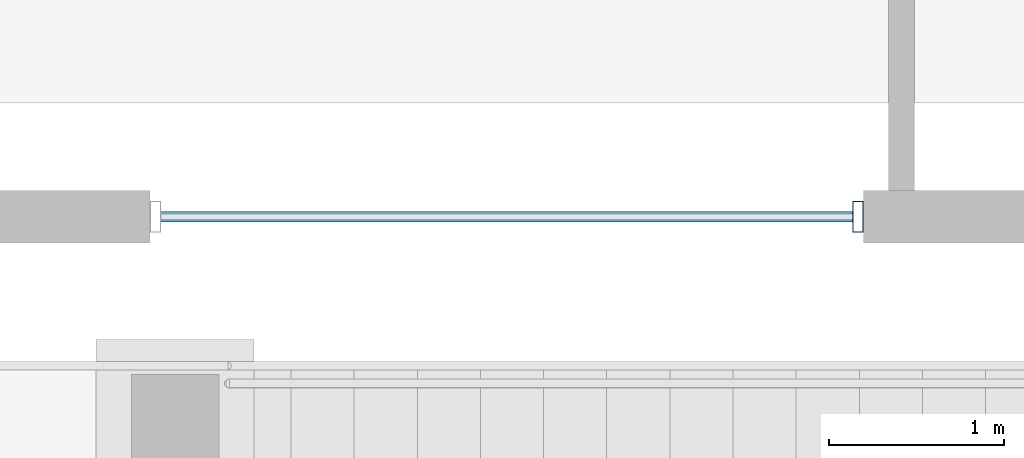
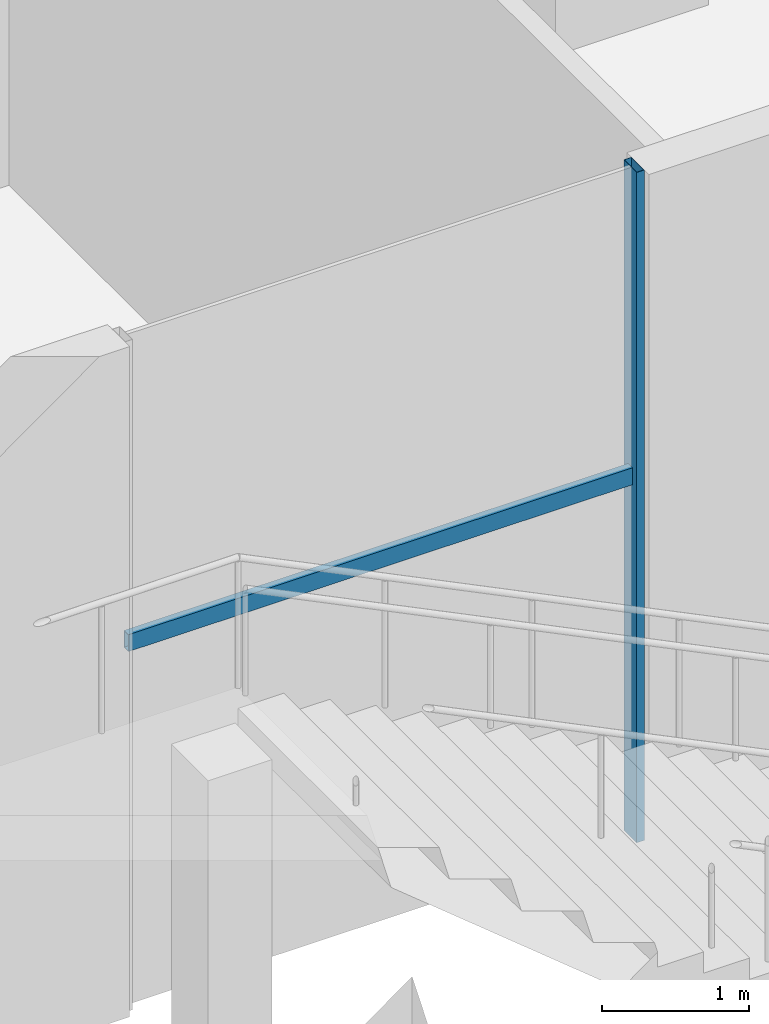
# One storey, part 6 of 68: 2 members, 1 element without a shape of its own.
"""IFC4 building model written with IfcOpenShell, lengths in metres."""

from ifc_helpers import new_model, si_unit, direction, frame, origin, origin_2d, place, context, subcontext, project, spatial, hollow_rectangle, extrude, material, material_profile, profile_set, type_object, element, aggregate, save


model = new_model("IFC4")

# Units and contexts
model_context = context("Model", 3, precision=1e-05, world=origin(), true_north=direction((0.0, 1.0)))
body_context = subcontext(model_context, "Body", "Model", "MODEL_VIEW")
ifc_project = project(units=[si_unit("LENGTHUNIT", "METRE"), si_unit("AREAUNIT", "SQUARE_METRE"), si_unit("VOLUMEUNIT", "CUBIC_METRE"), si_unit("PLANEANGLEUNIT", "RADIAN"), si_unit("MASSUNIT", "GRAM", prefix="KILO")], contexts=[model_context])

# Site, building, storey
site_placement = place(None, origin())
site = spatial("IfcSite", under=ifc_project, at=site_placement, CompositionType="ELEMENT")
building_placement = place(site_placement, origin())
building = spatial("IfcBuilding", under=site, at=building_placement, Name="Altepetl Exchange Towers", CompositionType="ELEMENT")
storey_placement = place(building_placement, origin())
storey = spatial("IfcBuildingStorey", under=building, at=storey_placement, Name="L00 Ground concourse", CompositionType="ELEMENT", Elevation=0.0)

# Curtain wall, members
ifc_material_1 = material(Name="Aluminium 6063-T6 glazing", Category="aluminium")
curtain_wall_type = type_object("IfcCurtainWallType", Name="Podium storefront system", PredefinedType="NOTDEFINED", material=ifc_material_1)
curtain_wall_placement = place(storey_placement, origin())
curtain_wall = element("IfcCurtainWall", 1, at=curtain_wall_placement, inside=storey, type_object=curtain_wall_type, Name="CW5 run", PredefinedType="NOTDEFINED")
ifc_material_2 = material(Name="Aluminium 6063-T6", Category="aluminium")
ifc_material_profile_1 = material_profile(ifc_material_2, hollow_rectangle(XDim=0.06005859375, YDim=0.175048828125, WallThickness=0.0029296875, at=origin_2d()), Name="Mullion 60x175 aluminium")
ifc_profile_set_1 = profile_set([ifc_material_profile_1], Name="Aluminium 6063-T6")
member_type_1 = type_object("IfcMemberType", Name="Mullion 60x175 aluminium", PredefinedType="MULLION", material=ifc_profile_set_1)
member_1_placement = place(storey_placement, frame((17.75341796875, 0.14990234375, 0.0)))
member_1 = element("IfcMember", 2, at=member_1_placement, type_object=member_type_1, Name="MU4 mullion", PredefinedType="MULLION", context=body_context, shape_type="SweptSolid", body=[
    extrude(hollow_rectangle(XDim=0.06005859375, YDim=0.175048828125, WallThickness=0.0029296875, at=origin_2d()), origin(), (0.0, 0.0, 1.0), 5.550048828125),
])
ifc_material_profile_2 = material_profile(ifc_material_2, hollow_rectangle(XDim=0.06005859375, YDim=0.139892578125, WallThickness=0.0029296875, at=origin_2d()), Name="Transom 60x140 aluminium")
ifc_profile_set_2 = profile_set([ifc_material_profile_2], Name="Aluminium 6063-T6")
member_type_2 = type_object("IfcMemberType", Name="Transom 60x140 aluminium", PredefinedType="USERDEFINED", material=ifc_profile_set_2)
member_2_placement = place(storey_placement, frame((13.776611328125, 0.14990234375, 3.0), z_axis=(1.0, 0.0, 0.0), x_axis=(0.0, 1.0, 0.0)))
member_2 = element("IfcMember", 3, at=member_2_placement, type_object=member_type_2, Name="TR3 transom", ObjectType="TRANSOM", PredefinedType="USERDEFINED", context=body_context, shape_type="SweptSolid", body=[
    extrude(hollow_rectangle(XDim=0.06005859375, YDim=0.139892578125, WallThickness=0.0029296875, at=origin_2d()), origin(), (0.0, 0.0, 1.0), 3.94677734375),
])
aggregate(curtain_wall, [member_1, member_2])

save(model, "model.ifc")
